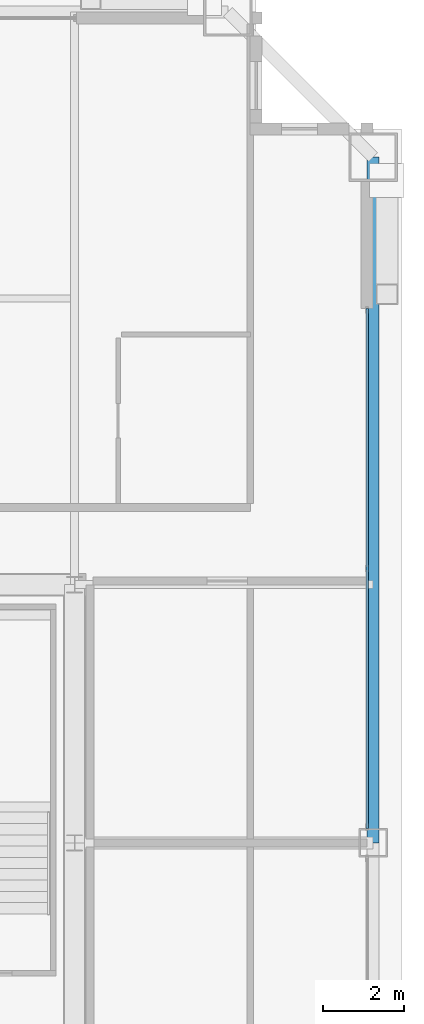
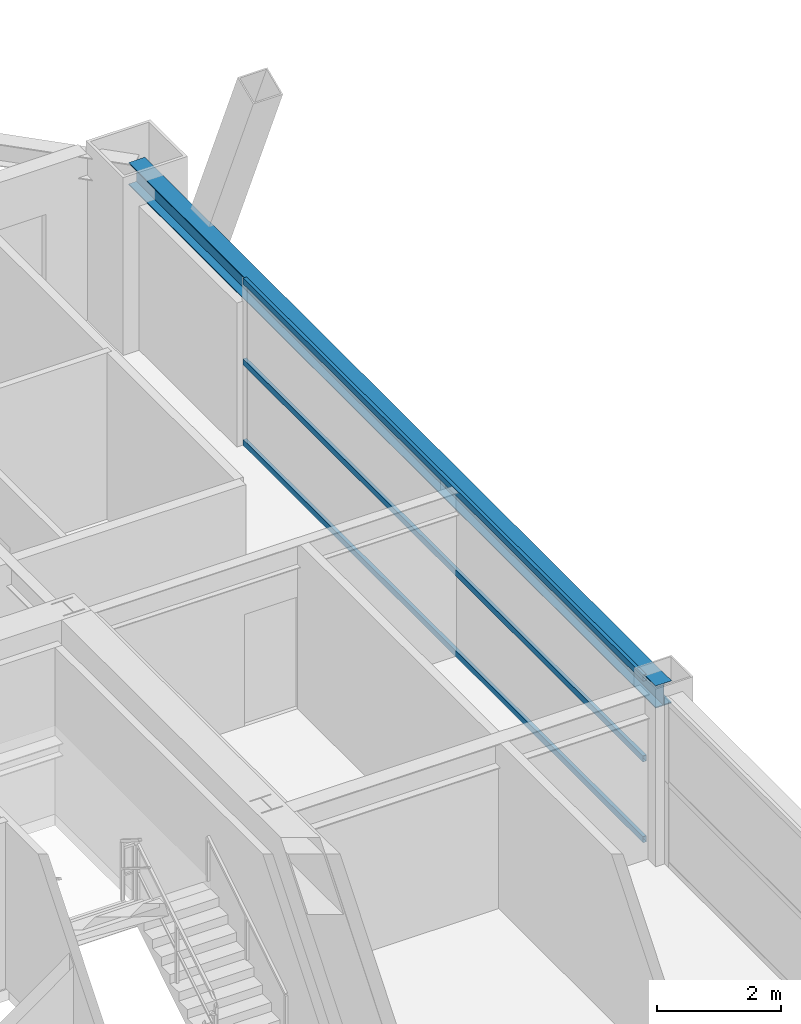
# One storey, part 20 of 35: 3 members, 1 beam, 1 element without a shape of its own.
"""IFC4 building model written with IfcOpenShell, lengths in metres."""

from ifc_helpers import new_model, si_unit, direction, frame, origin, origin_2d, place, context, subcontext, project, spatial, hollow_rectangle, i_section, extrude, source, transform, mapped, material, layer, layer_set, material_profile, profile_set, type_object, element, aggregate, save


model = new_model("IFC4")

# Units and contexts
model_context = context("Model", 3, precision=1e-05, world=origin(), true_north=direction((0.0, 1.0)))
body_context = subcontext(model_context, "Body", "Model", "MODEL_VIEW")
ifc_project = project(units=[si_unit("LENGTHUNIT", "METRE"), si_unit("AREAUNIT", "SQUARE_METRE"), si_unit("VOLUMEUNIT", "CUBIC_METRE"), si_unit("PLANEANGLEUNIT", "RADIAN"), si_unit("MASSUNIT", "GRAM", prefix="KILO"), si_unit("THERMODYNAMICTEMPERATUREUNIT", "KELVIN"), si_unit("POWERUNIT", "WATT")], contexts=[model_context])

# Site, building, storey
site_placement = place(None, origin())
site = spatial("IfcSite", under=ifc_project, at=site_placement, CompositionType="ELEMENT")
building_placement = place(site_placement, origin())
building = spatial("IfcBuilding", under=site, at=building_placement, Name="Yuzanri Waterfront Tower", CompositionType="ELEMENT")
storey_placement = place(building_placement, frame((0.0, 0.0, 227.60009765625)))
storey = spatial("IfcBuildingStorey", under=building, at=storey_placement, Name="L60", CompositionType="ELEMENT", Elevation=227.60009765625)

# Beam
ifc_material_1 = material(Name="Steel Q355B", Category="steel")
ifc_material_profile_1 = material_profile(ifc_material_1, i_section(OverallWidth=0.300048828125, OverallDepth=0.43994140625, WebThickness=0.010986328125, FlangeThickness=0.01806640625, at=origin_2d()), Name="HM 440x300x11x18")
ifc_profile_set_1 = profile_set([ifc_material_profile_1], Name="Steel Q355B")
beam_type = type_object("IfcBeamType", Name="Perimeter Spandrel Q355B HM 440x300", PredefinedType="SPANDREL", material=ifc_profile_set_1)
shared_shape_1 = source(origin(), body_context, "Body", "SweptSolid", [
    extrude(i_section(OverallWidth=0.300048828125, OverallDepth=0.43994140625, WebThickness=0.010986328125, FlangeThickness=0.01806640625, at=origin_2d()), origin(), (0.0, 0.0, 1.0), 17.0),
])
beam_placement = place(storey_placement, frame((57.60009765625, 25.800048828125, 3.059814453125), z_axis=(0.0, 1.0, 0.0), x_axis=(-1.0, 0.0, 0.0)))
element("IfcBeam", 1, at=beam_placement, inside=storey, type_object=beam_type, Name="L60 Perimeter Spandrel E2-E3", PredefinedType="SPANDREL", context=body_context, shape_type="MappedRepresentation", body=[
    mapped(shared_shape_1, transform((0.0, 0.0, 0.0), scale=1.0)),
])

# Curtain wall, members
ifc_material_2 = material(Name="Anodized Architectural Bronze", Category="metal")
ifc_layer = layer(ifc_material_2, 0.159912109375)
ifc_layer_set = layer_set([ifc_layer], Name="Anodized Architectural Bronze")
curtain_wall_type = type_object("IfcCurtainWallType", Name="Anodized Bronze Mid-Rise Residential Acoustic Unitized Curtain Wall 7200", PredefinedType="NOTDEFINED", material=ifc_layer_set)
curtain_wall_placement = place(storey_placement, origin())
curtain_wall = element("IfcCurtainWall", 2, at=curtain_wall_placement, inside=storey, type_object=curtain_wall_type, Name="L60 Curtain Wall CW-L60-ER", PredefinedType="NOTDEFINED")
ifc_material_3 = material(Name="Anodized Architectural Bronze", Category="metal")
ifc_material_profile_2 = material_profile(ifc_material_3, hollow_rectangle(XDim=0.06494140625, YDim=0.1201171875, WallThickness=0.00341796875, at=origin_2d()), Name="CWT 65x120")
ifc_profile_set_2 = profile_set([ifc_material_profile_2], Name="Anodized Architectural Bronze")
member_type = type_object("IfcMemberType", Name="Anodized Bronze Secondary Curtain-Wall Transom 65x120", PredefinedType="USERDEFINED", material=ifc_profile_set_2)
shared_shape_2 = source(origin(), body_context, "Body", "SweptSolid", [
    extrude(hollow_rectangle(XDim=0.06494140625, YDim=0.1201171875, WallThickness=0.00341796875, at=origin_2d()), origin(), (0.0, 0.0, 1.0), 12.900146484375),
])
member_1_placement = place(storey_placement, frame((57.449951171875, 26.14990234375, 0.0498046875), z_axis=(0.0, 1.0, 0.0), x_axis=(-1.0, 0.0, 0.0)))
member_1 = element("IfcMember", 3, at=member_1_placement, type_object=member_type, Name="CW-L60-ER Transom 1", ObjectType="TRANSOM", PredefinedType="USERDEFINED", context=body_context, shape_type="MappedRepresentation", body=[
    mapped(shared_shape_2, transform((0.0, 0.0, 0.0), scale=1.0)),
])
member_2_placement = place(storey_placement, frame((57.449951171875, 26.14990234375, 1.639892578125), z_axis=(0.0, 1.0, 0.0), x_axis=(-1.0, 0.0, 0.0)))
member_2 = element("IfcMember", 4, at=member_2_placement, type_object=member_type, Name="CW-L60-ER Transom 2", ObjectType="TRANSOM", PredefinedType="USERDEFINED", context=body_context, shape_type="MappedRepresentation", body=[
    mapped(shared_shape_2, transform((0.0, 0.0, 0.0), scale=1.0)),
])
member_3_placement = place(storey_placement, frame((57.449951171875, 26.14990234375, 3.22998046875), z_axis=(0.0, 1.0, 0.0), x_axis=(-1.0, 0.0, 0.0)))
member_3 = element("IfcMember", 5, at=member_3_placement, type_object=member_type, Name="CW-L60-ER Transom 3", ObjectType="TRANSOM", PredefinedType="USERDEFINED", context=body_context, shape_type="MappedRepresentation", body=[
    mapped(shared_shape_2, transform((0.0, 0.0, 0.0), scale=1.0)),
])
aggregate(curtain_wall, [member_1, member_2, member_3])

save(model, "model.ifc")
